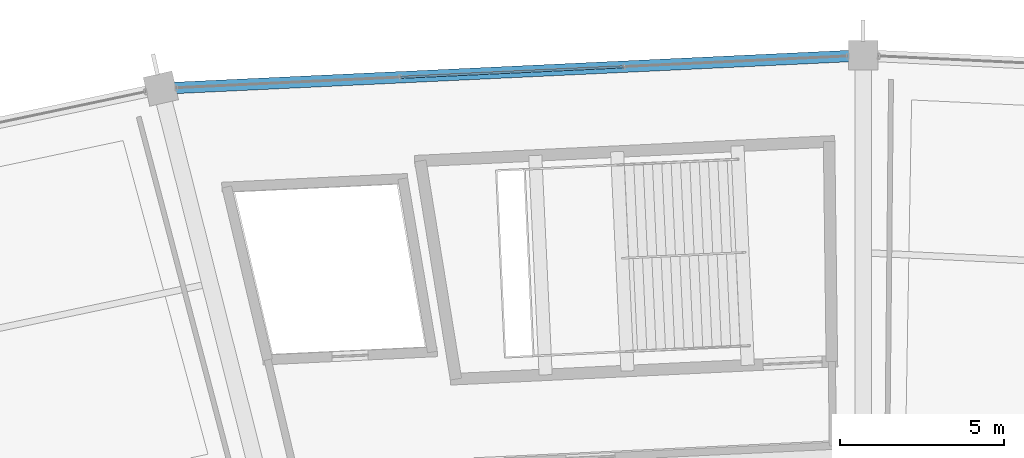
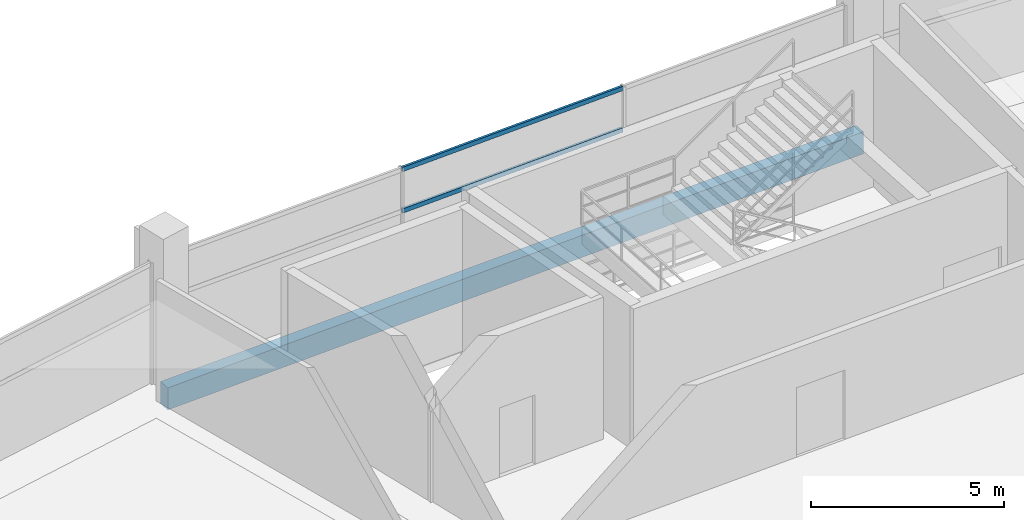
# One storey, part 82 of 156: 2 members, 1 beam, 1 element without a shape of its own.
"""IFC4 building model written with IfcOpenShell, lengths in metres."""

from ifc_helpers import new_model, si_unit, direction, frame, origin, origin_2d, place, context, subcontext, project, spatial, rectangle, hollow_rectangle, extrude, material, layer, layer_set, material_profile, profile_set, type_object, element, aggregate, save


model = new_model("IFC4")

# Units and contexts
model_context = context("Model", 3, precision=1e-05, world=origin(), true_north=direction((0.0, 1.0)))
body_context = subcontext(model_context, "Body", "Model", "MODEL_VIEW")
ifc_project = project(units=[si_unit("LENGTHUNIT", "METRE"), si_unit("AREAUNIT", "SQUARE_METRE"), si_unit("VOLUMEUNIT", "CUBIC_METRE"), si_unit("PLANEANGLEUNIT", "RADIAN"), si_unit("MASSUNIT", "GRAM", prefix="KILO")], contexts=[model_context])

# Site, building, storey
site_placement = place(None, origin())
site = spatial("IfcSite", under=ifc_project, at=site_placement, CompositionType="ELEMENT")
building_placement = place(site_placement, origin())
building = spatial("IfcBuilding", under=site, at=building_placement, Name="Kazemori Nagisa Stadium", CompositionType="ELEMENT")
storey_placement = place(building_placement, frame((0.0, 0.0, 5.780029296875)))
storey = spatial("IfcBuildingStorey", under=building, at=storey_placement, Name="L01", CompositionType="ELEMENT", Elevation=5.780029296875)

# Beam
ifc_material_1 = material(Name="Concrete C40/50 (Fc42)", Category="concrete")
ifc_material_profile_1 = material_profile(ifc_material_1, rectangle(XDim=0.35009765625, YDim=0.699951171875, at=origin_2d()), Name="RC-SP-350x700")
ifc_profile_set_1 = profile_set([ifc_material_profile_1], Name="Concrete C40/50 (Fc42)")
beam_type = type_object("IfcBeamType", Name="Beam_BS-RC350X700", PredefinedType="SPANDREL", material=ifc_profile_set_1)
beam_placement = place(storey_placement, frame((123.0, 188.0, -0.630126953125), z_axis=(-0.998883994571, -0.047230979144, 0.0), x_axis=(0.047230979144, -0.998883994571, 0.0)))
element("IfcBeam", 1, at=beam_placement, inside=storey, type_object=beam_type, Name="Ring girder BS-RC350X700 L01 R3-08", PredefinedType="SPANDREL", context=body_context, shape_type="SweptSolid", body=[
    extrude(rectangle(XDim=0.35009765625, YDim=0.699951171875, at=origin_2d()), origin(), (0.0, 0.0, 1.0), 21.45166015625),
])

# Curtain wall, members
ifc_material_2 = material(Name="Anodised aluminium 6063-T5", Category="aluminium")
ifc_layer = layer(ifc_material_2, 0.179931640625, Name="Anodised aluminium 6063-T5", Category="aluminium")
ifc_layer_set = layer_set([ifc_layer], Name="Anodised aluminium 6063-T5")
curtain_wall_type = type_object("IfcCurtainWallType", Name="CW_L01R3_103", PredefinedType="USERDEFINED", material=ifc_layer_set)
curtain_wall_placement = place(storey_placement, origin())
curtain_wall = element("IfcCurtainWall", 2, at=curtain_wall_placement, inside=storey, type_object=curtain_wall_type, Name="Unitised curtain wall CW-L01R3-103 L01", ObjectType="UNITISED CURTAIN WALL", PredefinedType="USERDEFINED")
ifc_material_3 = material(Name="Aluminium 6063-T5 anodised", Category="aluminium")
ifc_material_profile_2 = material_profile(ifc_material_3, hollow_rectangle(XDim=0.070068359375, YDim=0.139892578125, WallThickness=0.00390625, at=origin_2d()), Name="ALU-TRAN-70x140x4")
ifc_profile_set_2 = profile_set([ifc_material_profile_2], Name="Aluminium 6063-T5 anodised")
member_type = type_object("IfcMemberType", Name="Transom_T01", PredefinedType="USERDEFINED", material=ifc_profile_set_2)
member_1_placement = place(storey_placement, frame((115.67919921875, 187.65380859375, 2.4638671875), z_axis=(-0.998884501545, -0.047220255973, 0.0), x_axis=(0.047220255973, -0.998884501545, 0.0)))
member_1 = element("IfcMember", 3, at=member_1_placement, type_object=member_type, Name="Curtain wall transom CW-L01R3-103-T2-mid", ObjectType="TRANSOM", PredefinedType="USERDEFINED", context=body_context, shape_type="SweptSolid", body=[
    extrude(hollow_rectangle(XDim=0.070068359375, YDim=0.139892578125, WallThickness=0.00390625, at=origin_2d()), origin(), (0.0, 0.0, 1.0), 6.793701171875),
])
member_2_placement = place(storey_placement, frame((115.67919921875, 187.65380859375, 3.780029296875), z_axis=(-0.998884501545, -0.047220255973, 0.0), x_axis=(0.047220255973, -0.998884501545, 0.0)))
member_2 = element("IfcMember", 4, at=member_2_placement, type_object=member_type, Name="Curtain wall transom CW-L01R3-103-T2-head", ObjectType="TRANSOM", PredefinedType="USERDEFINED", context=body_context, shape_type="SweptSolid", body=[
    extrude(hollow_rectangle(XDim=0.070068359375, YDim=0.139892578125, WallThickness=0.00390625, at=origin_2d()), origin(), (0.0, 0.0, 1.0), 6.793701171875),
])
aggregate(curtain_wall, [member_1, member_2])

save(model, "model.ifc")
